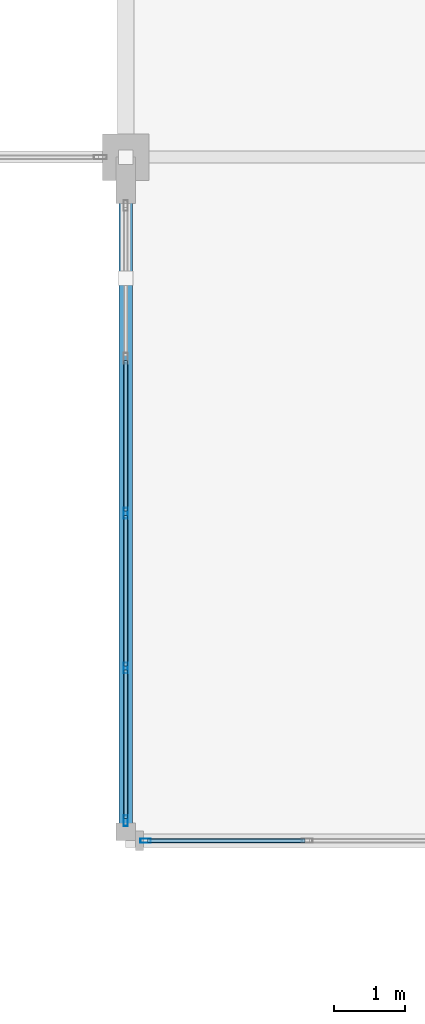
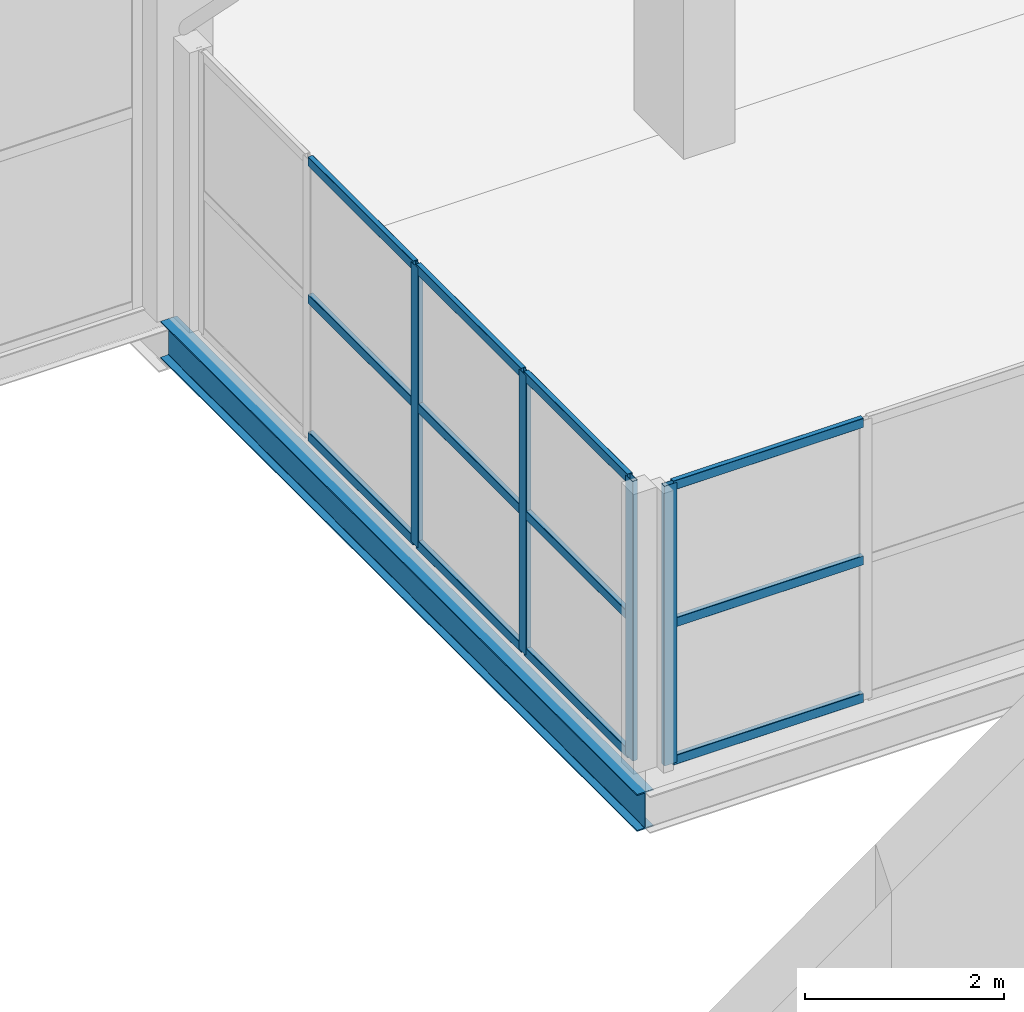
# One storey, part 25 of 127: 16 members, 1 beam, 2 elements without a shape of their own.
"""IFC4 building model written with IfcOpenShell, lengths in metres."""

import ifcopenshell
import ifcopenshell.guid

model = None  # the IFC model being written
_history = None  # IfcOwnerHistory: only IFC2X3 demands one
_inside = {}  # id of a spatial element -> (the spatial element, [elements in it])
_under = {}  # id of a project, library or spatial element -> (it, [spatial elements below it])
_declared = {}  # id of a project -> (the project, [libraries it declares])
_typed = {}  # id of a type object -> (the type object, [elements of that type])
_made_of = {}  # id of a material, layer set ... -> (it, [elements and type objects made of it])


def new_model(schema):
    """Start an empty IFC model of exactly this schema.

    Asked for "IFC4X3", IfcOpenShell would pick the latest addendum, in which some entities
    have other attributes; the version numbers below select the first issue.
    IFC2X3 requires an IfcOwnerHistory on every rooted entity: one is made here for all.
    """
    global model, _history
    if schema == "IFC4X3":
        model = ifcopenshell.file(schema_version=(4, 3, 0, 0))
    else:
        model = ifcopenshell.file(schema=schema)
    _inside.clear()
    _under.clear()
    _declared.clear()
    _typed.clear()
    _made_of.clear()
    _history = None
    if model.schema == "IFC2X3":
        org = make("IfcOrganization", Name="unknown")
        user = make(
            "IfcPersonAndOrganization",
            ThePerson=make("IfcPerson", FamilyName="unknown"),
            TheOrganization=org,
        )
        app = make(
            "IfcApplication",
            ApplicationDeveloper=org,
            Version="unknown",
            ApplicationFullName="unknown",
            ApplicationIdentifier="unknown",
        )
        _history = make(
            "IfcOwnerHistory",
            OwningUser=user,
            OwningApplication=app,
            ChangeAction="ADDED",
            CreationDate=0,
        )
    return model


def make(cls, **values):
    """One entity of the class cls with the attributes given. An attribute that is None is left unset."""
    return model.create_entity(
        cls, **{name: value for name, value in values.items() if value is not None}
    )


def rooted(cls, **values):
    """An entity with a GlobalId (a new one), such as an element, a storey or a relation."""
    return make(cls, GlobalId=ifcopenshell.guid.new(), OwnerHistory=_history, **values)


def si_unit(unit_type, name, prefix=None):
    """IfcSIUnit, for example si_unit("LENGTHUNIT", "METRE", prefix="MILLI")."""
    return make("IfcSIUnit", UnitType=unit_type, Prefix=prefix, Name=name)


def assignment(units):
    """IfcUnitAssignment: the units of a project."""
    return None if units is None else make("IfcUnitAssignment", Units=units)


def point(xyz):
    """IfcCartesianPoint."""
    return None if xyz is None else make("IfcCartesianPoint", Coordinates=xyz)


def direction(xyz):
    """IfcDirection."""
    return None if xyz is None else make("IfcDirection", DirectionRatios=xyz)


def frame(location, z_axis=None, x_axis=None):
    """IfcAxis2Placement3D, a coordinate frame: its origin and axes. An axis left out is left unset."""
    return make(
        "IfcAxis2Placement3D",
        Location=point(location),
        Axis=direction(z_axis),
        RefDirection=direction(x_axis),
    )


def frame_2d(location, x_axis=None):
    """IfcAxis2Placement2D, a coordinate frame in the plane: its origin and x axis."""
    return make(
        "IfcAxis2Placement2D", Location=point(location), RefDirection=direction(x_axis)
    )


def origin():
    """The frame at (0, 0, 0) with its axes left unset."""
    return frame((0.0, 0.0, 0.0))


def origin_2d():
    """The frame at (0, 0) in the plane with its x axis left unset."""
    return frame_2d((0.0, 0.0))


def place(relative_to, where):
    """IfcLocalPlacement: puts the frame where relative to a parent placement (None: the world)."""
    return make(
        "IfcLocalPlacement", PlacementRelTo=relative_to, RelativePlacement=where
    )


def context(
    kind, dimensions, precision=None, world=None, true_north=None, identifier=None
):
    """IfcGeometricRepresentationContext, for example the 3D "Model" context."""
    return make(
        "IfcGeometricRepresentationContext",
        ContextIdentifier=identifier,
        ContextType=kind,
        CoordinateSpaceDimension=dimensions,
        Precision=precision,
        WorldCoordinateSystem=world,
        TrueNorth=true_north,
    )


def subcontext(parent, identifier, kind, view, scale=None):
    """IfcGeometricRepresentationSubContext, for example "Body" below "Model"."""
    return make(
        "IfcGeometricRepresentationSubContext",
        ContextIdentifier=identifier,
        ContextType=kind,
        ParentContext=parent,
        TargetScale=scale,
        TargetView=view,
    )


def project(units=None, contexts=None):
    """IfcProject with its units and contexts."""
    return rooted(
        "IfcProject",
        Name="project",
        RepresentationContexts=contexts,
        UnitsInContext=assignment(units),
    )


def spatial(cls, under=None, at=None, **own):
    """A site, building, storey or space (cls), placed at a placement, below another one or the project."""
    s = rooted(cls, ObjectPlacement=at, **own)
    if under is not None:
        _under.setdefault(under.id(), (under, []))[1].append(s)
    return s


def profile(cls, at=None, kind="AREA", **sizes):
    """A parametric profile (cls). Its sizes go by their IFC names, for example OverallWidth=200.0."""
    return make(cls, ProfileType=kind, Position=at, **sizes)


def hollow_rectangle(**sizes):
    """IfcRectangleHollowProfileDef."""
    return profile("IfcRectangleHollowProfileDef", **sizes)


def i_section(**sizes):
    """IfcIShapeProfileDef."""
    return profile("IfcIShapeProfileDef", **sizes)


def extrude(swept, where, along, depth):
    """IfcExtrudedAreaSolid: the profile swept, set in the frame where, extruded along a direction by depth."""
    return make(
        "IfcExtrudedAreaSolid",
        SweptArea=swept,
        Position=where,
        ExtrudedDirection=direction(along),
        Depth=depth,
    )


def shape(context_of_items, identifier, shape_type, items):
    """IfcShapeRepresentation: the items that make up one representation, for example the "Body"."""
    return make(
        "IfcShapeRepresentation",
        ContextOfItems=context_of_items,
        RepresentationIdentifier=identifier,
        RepresentationType=shape_type,
        Items=items,
    )


def material(Name=None, Category=None):
    """IfcMaterial."""
    return make("IfcMaterial", Name=Name, Category=Category)


def layer(
    of_material, thickness, ventilated=None, Name=None, Category=None, Priority=None
):
    """IfcMaterialLayer: one layer of a wall or slab, of a material (None: an air gap)."""
    return make(
        "IfcMaterialLayer",
        Material=of_material,
        LayerThickness=thickness,
        IsVentilated=ventilated,
        Name=Name,
        Category=Category,
        Priority=Priority,
    )


def layer_set(layers, Name=None):
    """IfcMaterialLayerSet."""
    return make("IfcMaterialLayerSet", MaterialLayers=layers, LayerSetName=Name)


def material_profile(
    of_material, cross_section, Name=None, Category=None, Priority=None
):
    """IfcMaterialProfile: a cross section and its material."""
    return make(
        "IfcMaterialProfile",
        Name=Name,
        Material=of_material,
        Profile=cross_section,
        Priority=Priority,
        Category=Category,
    )


def profile_set(profiles, Name=None, composite=None):
    """IfcMaterialProfileSet."""
    return make(
        "IfcMaterialProfileSet",
        Name=Name,
        MaterialProfiles=profiles,
        CompositeProfile=composite,
    )


def made_of(thing, what):
    """Note that an element or type object is made of a material, layer set ...; save() writes the relation."""
    if what is not None:
        _made_of.setdefault(what.id(), (what, []))[1].append(thing)
    return thing


def type_object(cls, material=None, **own):
    """A type object (cls), such as IfcWallType, which elements share."""
    return made_of(rooted(cls, **own), material)


def element(
    cls,
    number,
    at=None,
    inside=None,
    cuts=None,
    type_object=None,
    material=None,
    context=None,
    identifier="Body",
    shape_type=None,
    held_by="IfcProductDefinitionShape",
    body=None,
    shapes=None,
    **own,
):
    """One element of the class cls, such as IfcWall. Its Tag is "e" and its number.

    at: its placement. inside: the storey or other place that contains it. cuts: it is an
    opening in that element (IfcRelVoidsElement). A single representation is given by context,
    identifier, shape_type and body (its items); several are given by shapes. held_by: the class
    of the entity that holds the representations. save() writes the other relations.
    """
    e = rooted(cls, Tag="e%d" % number, ObjectPlacement=at, **own)
    if body is not None:
        shapes = [shape(context, identifier, shape_type, body)]
    if shapes is not None:
        e.Representation = make(held_by, Representations=shapes)
    if inside is not None:
        _inside.setdefault(inside.id(), (inside, []))[1].append(e)
    if cuts is not None:
        rooted(
            "IfcRelVoidsElement", RelatingBuildingElement=cuts, RelatedOpeningElement=e
        )
    if type_object is not None:
        _typed.setdefault(type_object.id(), (type_object, []))[1].append(e)
    return made_of(e, material)


def aggregate(whole, parts):
    """IfcRelAggregates: a whole, such as a stair, and the parts it consists of."""
    return rooted("IfcRelAggregates", RelatingObject=whole, RelatedObjects=parts)


def save(model, path):
    """Write the relations noted so far, then the file.

    IfcRelAggregates (storeys below a building ...), IfcRelContainedInSpatialStructure (elements
    in a storey), IfcRelDefinesByType, IfcRelAssociatesMaterial and IfcRelDeclares: one each for
    every whole, place, type object, material and project.
    """
    for whole, parts in _under.values():
        aggregate(whole, parts)
    for where, things in _inside.values():
        rooted(
            "IfcRelContainedInSpatialStructure",
            RelatedElements=things,
            RelatingStructure=where,
        )
    for kind, things in _typed.values():
        rooted("IfcRelDefinesByType", RelatedObjects=things, RelatingType=kind)
    for what, things in _made_of.values():
        rooted("IfcRelAssociatesMaterial", RelatedObjects=things, RelatingMaterial=what)
    for by, libraries in _declared.values():
        rooted("IfcRelDeclares", RelatingContext=by, RelatedDefinitions=libraries)
    model.write(path)


model = new_model("IFC4")

# Units and contexts
model_context = context("Model", 3, precision=1e-05, world=origin(), true_north=direction((0.0, 1.0)))
body_context = subcontext(model_context, "Body", "Model", "MODEL_VIEW")
ifc_project = project(units=[si_unit("LENGTHUNIT", "METRE"), si_unit("AREAUNIT", "SQUARE_METRE"), si_unit("VOLUMEUNIT", "CUBIC_METRE"), si_unit("PLANEANGLEUNIT", "RADIAN"), si_unit("MASSUNIT", "GRAM", prefix="KILO")], contexts=[model_context])

# Site, building, storey
site_placement = place(None, origin())
site = spatial("IfcSite", under=ifc_project, at=site_placement, CompositionType="ELEMENT")
building_placement = place(site_placement, origin())
building = spatial("IfcBuilding", under=site, at=building_placement, Name="Dunvalen Ferry Terminal", CompositionType="ELEMENT")
storey_placement = place(building_placement, frame((0.0, 0.0, 5.760009765625)))
storey = spatial("IfcBuildingStorey", under=building, at=storey_placement, Name="L01", CompositionType="ELEMENT", Elevation=5.760009765625)

# Curtain wall, members
ifc_material_1 = material(Name="Anodised marine aluminium and solar-control glazing", Category="aluminium")
ifc_layer_1 = layer(ifc_material_1, 0.159912109375, Name="Anodised marine aluminium and solar-control glazing")
ifc_layer_set_1 = layer_set([ifc_layer_1], Name="Anodised marine aluminium and solar-control glazing")
curtain_wall_type_1 = type_object("IfcCurtainWallType", Name="ENV-CW-SYS-10", PredefinedType="NOTDEFINED", material=ifc_layer_set_1)
curtain_wall_1_placement = place(storey_placement, origin())
curtain_wall_1 = element("IfcCurtainWall", 1, at=curtain_wall_1_placement, inside=storey, type_object=curtain_wall_type_1, Name="L01 Curtain Wall CW-LNK51-1", PredefinedType="NOTDEFINED")
ifc_material_2 = material(Name="Anodised marine aluminium EN AW-6063 T6", Category="aluminium")
ifc_material_profile_1 = material_profile(ifc_material_2, hollow_rectangle(XDim=0.06005859375, YDim=0.14990234375, WallThickness=0.00341796875, InnerFilletRadius=0.00341796875, OuterFilletRadius=0.007080078125, at=origin_2d()), Name="Anodised marine aluminium EN AW-6063 T6")
ifc_profile_set_1 = profile_set([ifc_material_profile_1], Name="Anodised marine aluminium EN AW-6063 T6")
member_type_1 = type_object("IfcMemberType", Name="ENV-CW-MUL-3", PredefinedType="MULLION", material=ifc_profile_set_1)
member_1_placement = place(storey_placement, frame((78.0, 41.080078125, 0.0), z_axis=(0.0, 0.0, 1.0), x_axis=(-1.0, 0.0, 0.0)))
member_1 = element("IfcMember", 2, at=member_1_placement, type_object=member_type_1, Name="CW-10 mullion 1", PredefinedType="MULLION", context=body_context, shape_type="SweptSolid", body=[
    extrude(hollow_rectangle(XDim=0.06005859375, YDim=0.14990234375, WallThickness=0.00341796875, InnerFilletRadius=0.00341796875, OuterFilletRadius=0.007080078125, at=origin_2d()), origin(), (0.0, 0.0, 1.0), 3.43994140625),
])
member_2_placement = place(storey_placement, frame((78.0, 43.22509765625, 0.0), z_axis=(0.0, 0.0, 1.0), x_axis=(-1.0, 0.0, 0.0)))
member_2 = element("IfcMember", 3, at=member_2_placement, type_object=member_type_1, Name="CW-10 mullion 2", PredefinedType="MULLION", context=body_context, shape_type="SweptSolid", body=[
    extrude(hollow_rectangle(XDim=0.06005859375, YDim=0.14990234375, WallThickness=0.00341796875, InnerFilletRadius=0.00341796875, OuterFilletRadius=0.007080078125, at=origin_2d()), origin(), (0.0, 0.0, 1.0), 3.43994140625),
])
member_3_placement = place(storey_placement, frame((78.0, 45.39990234375, 0.0), z_axis=(0.0, 0.0, 1.0), x_axis=(-1.0, 0.0, 0.0)))
member_3 = element("IfcMember", 4, at=member_3_placement, type_object=member_type_1, Name="CW-10 mullion 3", PredefinedType="MULLION", context=body_context, shape_type="SweptSolid", body=[
    extrude(hollow_rectangle(XDim=0.06005859375, YDim=0.14990234375, WallThickness=0.00341796875, InnerFilletRadius=0.00341796875, OuterFilletRadius=0.007080078125, at=origin_2d()), origin(), (0.0, 0.0, 1.0), 3.43994140625),
])

# Curtain wall, member
ifc_layer_2 = layer(ifc_material_1, 0.159912109375, Name="Anodised marine aluminium and solar-control glazing")
ifc_layer_set_2 = layer_set([ifc_layer_2], Name="Anodised marine aluminium and solar-control glazing")
curtain_wall_type_2 = type_object("IfcCurtainWallType", Name="ENV-CW-SYS-09", PredefinedType="NOTDEFINED", material=ifc_layer_set_2)
curtain_wall_2_placement = place(storey_placement, origin())
curtain_wall_2 = element("IfcCurtainWall", 5, at=curtain_wall_2_placement, inside=storey, type_object=curtain_wall_type_2, Name="L01 Curtain Wall CW-LNK51-S", PredefinedType="NOTDEFINED")
member_4_placement = place(storey_placement, frame((78.280029296875, 40.800048828125, 0.0), z_axis=(0.0, 0.0, 1.0), x_axis=(0.0, 1.0, 0.0)))
member_4 = element("IfcMember", 6, at=member_4_placement, type_object=member_type_1, Name="CW-09 mullion 1", PredefinedType="MULLION", context=body_context, shape_type="SweptSolid", body=[
    extrude(hollow_rectangle(XDim=0.06005859375, YDim=0.14990234375, WallThickness=0.00341796875, InnerFilletRadius=0.00341796875, OuterFilletRadius=0.007080078125, at=origin_2d()), origin(), (0.0, 0.0, 1.0), 3.43994140625),
])

# Member
ifc_material_profile_2 = material_profile(ifc_material_2, hollow_rectangle(XDim=0.06005859375, YDim=0.114990234375, WallThickness=0.0029296875, InnerFilletRadius=0.0029296875, OuterFilletRadius=0.006103515625, at=origin_2d()), Name="Anodised marine aluminium EN AW-6063 T6")
ifc_profile_set_2 = profile_set([ifc_material_profile_2], Name="Anodised marine aluminium EN AW-6063 T6")
member_type_2 = type_object("IfcMemberType", Name="ENV-CW-TRN-3", PredefinedType="USERDEFINED", material=ifc_profile_set_2)
member_5_placement = place(storey_placement, frame((78.0, 41.110107421875, 0.030029296875), z_axis=(0.0, 1.0, 0.0), x_axis=(-1.0, 0.0, 0.0)))
member_5 = element("IfcMember", 7, at=member_5_placement, type_object=member_type_2, Name="CW-10 transom 1.1", ObjectType="TRANSOM", PredefinedType="USERDEFINED", context=body_context, shape_type="SweptSolid", body=[
    extrude(hollow_rectangle(XDim=0.06005859375, YDim=0.114990234375, WallThickness=0.0029296875, InnerFilletRadius=0.0029296875, OuterFilletRadius=0.006103515625, at=origin_2d()), origin(), (0.0, 0.0, 1.0), 2.0849609375),
])

member_6_placement = place(storey_placement, frame((78.0, 41.110107421875, 1.719970703125), z_axis=(0.0, 1.0, 0.0), x_axis=(-1.0, 0.0, 0.0)))
member_6 = element("IfcMember", 8, at=member_6_placement, type_object=member_type_2, Name="CW-10 transom 1.2", ObjectType="TRANSOM", PredefinedType="USERDEFINED", context=body_context, shape_type="SweptSolid", body=[
    extrude(hollow_rectangle(XDim=0.06005859375, YDim=0.114990234375, WallThickness=0.0029296875, InnerFilletRadius=0.0029296875, OuterFilletRadius=0.006103515625, at=origin_2d()), origin(), (0.0, 0.0, 1.0), 2.0849609375),
])

member_7_placement = place(storey_placement, frame((78.0, 41.110107421875, 3.409912109375), z_axis=(0.0, 1.0, 0.0), x_axis=(-1.0, 0.0, 0.0)))
member_7 = element("IfcMember", 9, at=member_7_placement, type_object=member_type_2, Name="CW-10 transom 1.3", ObjectType="TRANSOM", PredefinedType="USERDEFINED", context=body_context, shape_type="SweptSolid", body=[
    extrude(hollow_rectangle(XDim=0.06005859375, YDim=0.114990234375, WallThickness=0.0029296875, InnerFilletRadius=0.0029296875, OuterFilletRadius=0.006103515625, at=origin_2d()), origin(), (0.0, 0.0, 1.0), 2.0849609375),
])

member_8_placement = place(storey_placement, frame((78.0, 43.2548828125, 0.030029296875), z_axis=(0.0, 1.0, 0.0), x_axis=(-1.0, 0.0, 0.0)))
member_8 = element("IfcMember", 10, at=member_8_placement, type_object=member_type_2, Name="CW-10 transom 2.1", ObjectType="TRANSOM", PredefinedType="USERDEFINED", context=body_context, shape_type="SweptSolid", body=[
    extrude(hollow_rectangle(XDim=0.06005859375, YDim=0.114990234375, WallThickness=0.0029296875, InnerFilletRadius=0.0029296875, OuterFilletRadius=0.006103515625, at=origin_2d()), origin(), (0.0, 0.0, 1.0), 2.115234375),
])

member_9_placement = place(storey_placement, frame((78.0, 43.2548828125, 1.719970703125), z_axis=(0.0, 1.0, 0.0), x_axis=(-1.0, 0.0, 0.0)))
member_9 = element("IfcMember", 11, at=member_9_placement, type_object=member_type_2, Name="CW-10 transom 2.2", ObjectType="TRANSOM", PredefinedType="USERDEFINED", context=body_context, shape_type="SweptSolid", body=[
    extrude(hollow_rectangle(XDim=0.06005859375, YDim=0.114990234375, WallThickness=0.0029296875, InnerFilletRadius=0.0029296875, OuterFilletRadius=0.006103515625, at=origin_2d()), origin(), (0.0, 0.0, 1.0), 2.115234375),
])

member_10_placement = place(storey_placement, frame((78.0, 43.2548828125, 3.409912109375), z_axis=(0.0, 1.0, 0.0), x_axis=(-1.0, 0.0, 0.0)))
member_10 = element("IfcMember", 12, at=member_10_placement, type_object=member_type_2, Name="CW-10 transom 2.3", ObjectType="TRANSOM", PredefinedType="USERDEFINED", context=body_context, shape_type="SweptSolid", body=[
    extrude(hollow_rectangle(XDim=0.06005859375, YDim=0.114990234375, WallThickness=0.0029296875, InnerFilletRadius=0.0029296875, OuterFilletRadius=0.006103515625, at=origin_2d()), origin(), (0.0, 0.0, 1.0), 2.115234375),
])

member_11_placement = place(storey_placement, frame((78.0, 45.429931640625, 0.030029296875), z_axis=(0.0, 1.0, 0.0), x_axis=(-1.0, 0.0, 0.0)))
member_11 = element("IfcMember", 13, at=member_11_placement, type_object=member_type_2, Name="CW-10 transom 3.1", ObjectType="TRANSOM", PredefinedType="USERDEFINED", context=body_context, shape_type="SweptSolid", body=[
    extrude(hollow_rectangle(XDim=0.06005859375, YDim=0.114990234375, WallThickness=0.0029296875, InnerFilletRadius=0.0029296875, OuterFilletRadius=0.006103515625, at=origin_2d()), origin(), (0.0, 0.0, 1.0), 2.114990234375),
])

member_12_placement = place(storey_placement, frame((78.0, 45.429931640625, 1.719970703125), z_axis=(0.0, 1.0, 0.0), x_axis=(-1.0, 0.0, 0.0)))
member_12 = element("IfcMember", 14, at=member_12_placement, type_object=member_type_2, Name="CW-10 transom 3.2", ObjectType="TRANSOM", PredefinedType="USERDEFINED", context=body_context, shape_type="SweptSolid", body=[
    extrude(hollow_rectangle(XDim=0.06005859375, YDim=0.114990234375, WallThickness=0.0029296875, InnerFilletRadius=0.0029296875, OuterFilletRadius=0.006103515625, at=origin_2d()), origin(), (0.0, 0.0, 1.0), 2.114990234375),
])

member_13_placement = place(storey_placement, frame((78.0, 45.429931640625, 3.409912109375), z_axis=(0.0, 1.0, 0.0), x_axis=(-1.0, 0.0, 0.0)))
member_13 = element("IfcMember", 15, at=member_13_placement, type_object=member_type_2, Name="CW-10 transom 3.3", ObjectType="TRANSOM", PredefinedType="USERDEFINED", context=body_context, shape_type="SweptSolid", body=[
    extrude(hollow_rectangle(XDim=0.06005859375, YDim=0.114990234375, WallThickness=0.0029296875, InnerFilletRadius=0.0029296875, OuterFilletRadius=0.006103515625, at=origin_2d()), origin(), (0.0, 0.0, 1.0), 2.114990234375),
])

aggregate(curtain_wall_1, [member_1, member_2, member_3, member_5, member_6, member_7, member_8, member_9, member_10, member_11, member_12, member_13])

member_14_placement = place(storey_placement, frame((78.31005859375, 40.800048828125, 0.030029296875), z_axis=(1.0, 0.0, 0.0), x_axis=(0.0, 1.0, 0.0)))
member_14 = element("IfcMember", 16, at=member_14_placement, type_object=member_type_2, Name="CW-09 transom 1.1", ObjectType="TRANSOM", PredefinedType="USERDEFINED", context=body_context, shape_type="SweptSolid", body=[
    extrude(hollow_rectangle(XDim=0.06005859375, YDim=0.114990234375, WallThickness=0.0029296875, InnerFilletRadius=0.0029296875, OuterFilletRadius=0.006103515625, at=origin_2d()), origin(), (0.0, 0.0, 1.0), 2.2099609375),
])

member_15_placement = place(storey_placement, frame((78.31005859375, 40.800048828125, 1.719970703125), z_axis=(1.0, 0.0, 0.0), x_axis=(0.0, 1.0, 0.0)))
member_15 = element("IfcMember", 17, at=member_15_placement, type_object=member_type_2, Name="CW-09 transom 1.2", ObjectType="TRANSOM", PredefinedType="USERDEFINED", context=body_context, shape_type="SweptSolid", body=[
    extrude(hollow_rectangle(XDim=0.06005859375, YDim=0.114990234375, WallThickness=0.0029296875, InnerFilletRadius=0.0029296875, OuterFilletRadius=0.006103515625, at=origin_2d()), origin(), (0.0, 0.0, 1.0), 2.2099609375),
])

member_16_placement = place(storey_placement, frame((78.31005859375, 40.800048828125, 3.409912109375), z_axis=(1.0, 0.0, 0.0), x_axis=(0.0, 1.0, 0.0)))
member_16 = element("IfcMember", 18, at=member_16_placement, type_object=member_type_2, Name="CW-09 transom 1.3", ObjectType="TRANSOM", PredefinedType="USERDEFINED", context=body_context, shape_type="SweptSolid", body=[
    extrude(hollow_rectangle(XDim=0.06005859375, YDim=0.114990234375, WallThickness=0.0029296875, InnerFilletRadius=0.0029296875, OuterFilletRadius=0.006103515625, at=origin_2d()), origin(), (0.0, 0.0, 1.0), 2.2099609375),
])

aggregate(curtain_wall_2, [member_4, member_14, member_15, member_16])

# Beam
ifc_material_3 = material(Name="Steel S355", Category="steel")
ifc_material_profile_3 = material_profile(ifc_material_3, i_section(OverallWidth=0.1904296875, OverallDepth=0.45703125, WebThickness=0.009033203125, FlangeThickness=0.014404296875, FilletRadius=0.01025390625, at=origin_2d()), Name="Steel S355")
ifc_profile_set_3 = profile_set([ifc_material_profile_3], Name="Steel S355")
beam_type = type_object("IfcBeamType", Name="STR-BM-UKB457", PredefinedType="BEAM", material=ifc_profile_set_3)
beam_placement = place(storey_placement, frame((78.0, 40.800048828125, -0.489990234375), z_axis=(0.0, 1.0, 0.0), x_axis=(-1.0, 0.0, 0.0)))
element("IfcBeam", 19, at=beam_placement, inside=storey, type_object=beam_type, Name="L01 Link Bridge LNK51 Girder 1", PredefinedType="BEAM", context=body_context, shape_type="SweptSolid", body=[
    extrude(i_section(OverallWidth=0.1904296875, OverallDepth=0.45703125, WebThickness=0.009033203125, FlangeThickness=0.014404296875, FilletRadius=0.01025390625, at=origin_2d()), origin(), (0.0, 0.0, 1.0), 9.599853515625),
])

save(model, "model.ifc")
